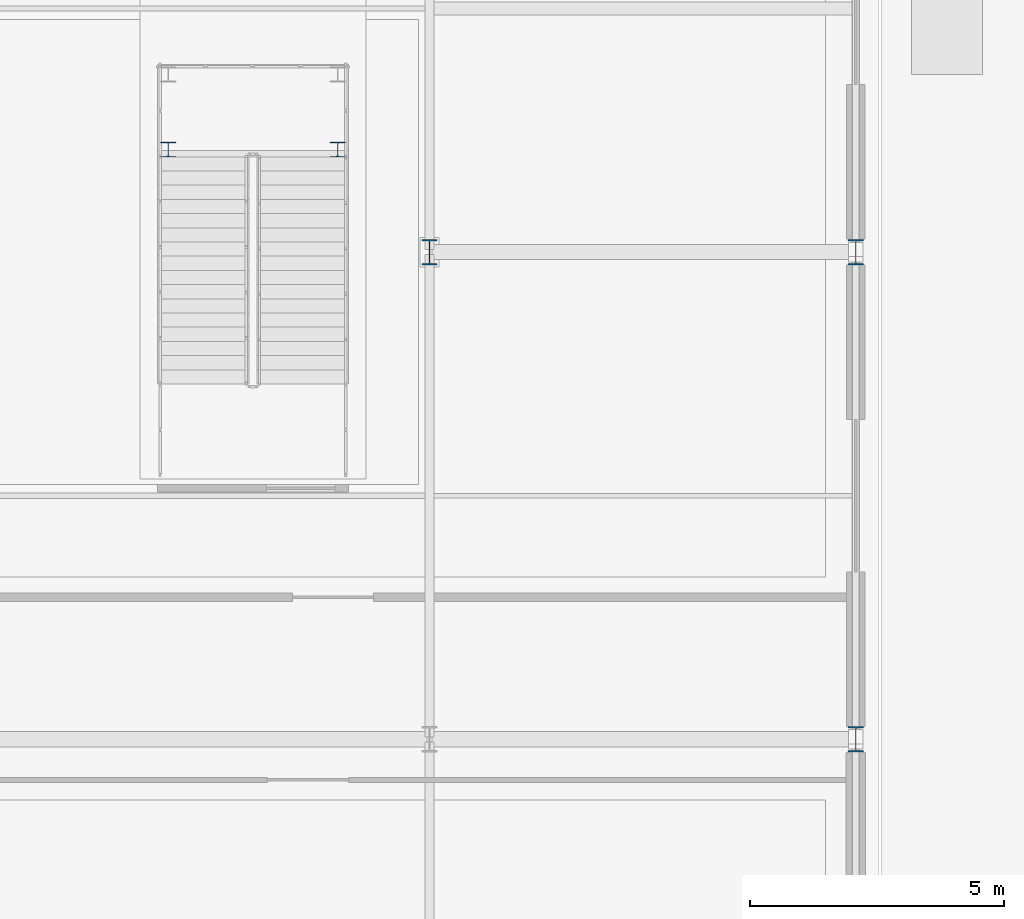
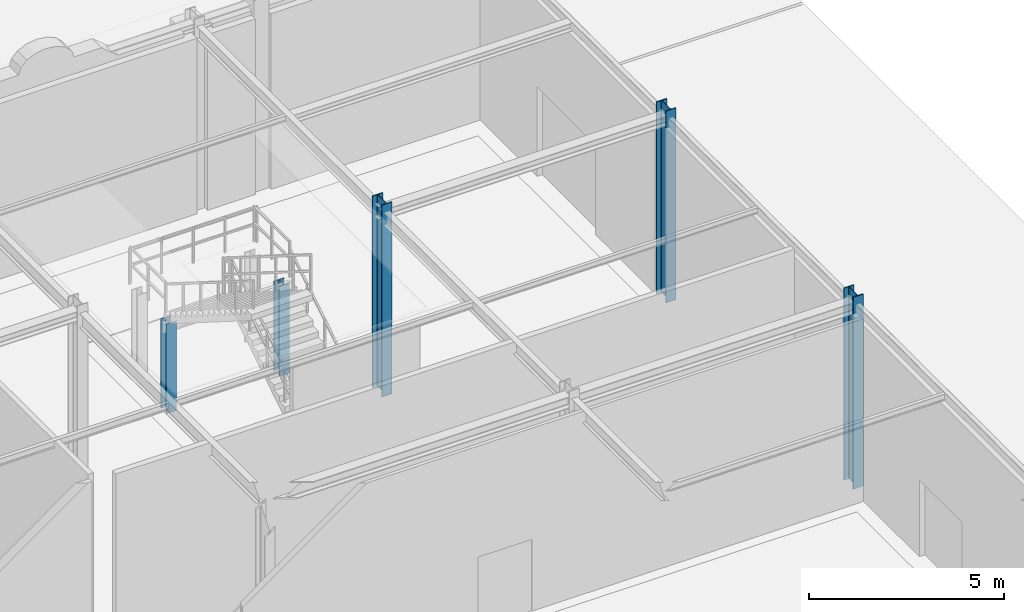
# One storey, part 19 of 113: 5 columns.
"""IFC4 building model written with IfcOpenShell, lengths in metres."""

from ifc_helpers import new_model, si_unit, direction, frame, origin, origin_2d, place, context, subcontext, project, spatial, i_section, extrude, material, material_profile, profile_set, type_object, element, save


model = new_model("IFC4")

# Units and contexts
model_context = context("Model", 3, precision=1e-05, world=origin(), true_north=direction((0.0, 1.0)))
body_context = subcontext(model_context, "Body", "Model", "MODEL_VIEW")
ifc_project = project(units=[si_unit("LENGTHUNIT", "METRE"), si_unit("AREAUNIT", "SQUARE_METRE"), si_unit("VOLUMEUNIT", "CUBIC_METRE"), si_unit("PLANEANGLEUNIT", "RADIAN"), si_unit("MASSUNIT", "GRAM", prefix="KILO")], contexts=[model_context])

# Site, building, storey
site_placement = place(None, origin())
site = spatial("IfcSite", under=ifc_project, at=site_placement, CompositionType="ELEMENT")
building_placement = place(site_placement, origin())
building = spatial("IfcBuilding", under=site, at=building_placement, Name="Myrtia Square Station", CompositionType="ELEMENT")
storey_placement = place(building_placement, origin())
storey = spatial("IfcBuildingStorey", under=building, at=storey_placement, Name="L00", CompositionType="ELEMENT", Elevation=0.0)

# Columns
ifc_material = material(Name="Steel S355", Category="steel")
ifc_material_profile_1 = material_profile(ifc_material, i_section(OverallWidth=0.300048828125, OverallDepth=0.300048828125, WebThickness=0.010986328125, FlangeThickness=0.01904296875, FilletRadius=0.027099609375, at=origin_2d()), Name="HEB 300")
ifc_profile_set_1 = profile_set([ifc_material_profile_1], Name="Steel S355")
column_type_1 = type_object("IfcColumnType", Name="COL-HEB300", PredefinedType="COLUMN", material=ifc_profile_set_1)
for number, where, z_axis, x_axis, name in (
    (1, (165.85009765625, 30.820068359375, 0.0), (0.0, 0.0, 1.0), (1.0, 0.0, 0.0), "Interchange stair landing post 7-WS"),
    (2, (169.18994140625, 30.820068359375, 0.0), (0.0, 0.0, 1.0), (1.0, 0.0, 0.0), "Interchange stair landing post 7-ES"),
):
    element("IfcColumn", number, at=place(storey_placement, frame(where, z_axis=z_axis, x_axis=x_axis)), inside=storey, type_object=column_type_1, Name=name, PredefinedType="COLUMN", context=body_context, shape_type="SweptSolid", body=[
        extrude(i_section(OverallWidth=0.300048828125, OverallDepth=0.300048828125, WebThickness=0.010986328125, FlangeThickness=0.01904296875, FilletRadius=0.027099609375, at=origin_2d()), origin(), (0.0, 0.0, 1.0), 2.800048828125),
    ])
ifc_material_profile_2 = material_profile(ifc_material, i_section(OverallWidth=0.300048828125, OverallDepth=0.5, WebThickness=0.014404296875, FlangeThickness=0.028076171875, FilletRadius=0.027099609375, at=origin_2d()), Name="HEB 500")
ifc_profile_set_2 = profile_set([ifc_material_profile_2], Name="Steel S355")
column_type_2 = type_object("IfcColumnType", Name="COL-HEB500", PredefinedType="COLUMN", material=ifc_profile_set_2)
for number, where, z_axis, x_axis, name in (
    (3, (171.0, 28.800048828125, 0.0), (0.0, 0.0, 1.0), (1.0, 0.0, 0.0), "Column L00-0710"),
    (4, (179.39990234375, 19.199951171875, 0.0), (0.0, 0.0, 1.0), (1.0, 0.0, 0.0), "Column L00-0724"),
    (5, (179.39990234375, 28.800048828125, 0.0), (0.0, 0.0, 1.0), (1.0, 0.0, 0.0), "Column L00-0728"),
):
    element("IfcColumn", number, at=place(storey_placement, frame(where, z_axis=z_axis, x_axis=x_axis)), inside=storey, type_object=column_type_2, Name=name, PredefinedType="COLUMN", context=body_context, shape_type="SweptSolid", body=[
        extrude(i_section(OverallWidth=0.300048828125, OverallDepth=0.5, WebThickness=0.014404296875, FlangeThickness=0.028076171875, FilletRadius=0.027099609375, at=origin_2d()), origin(), (0.0, 0.0, 1.0), 6.0),
    ])

save(model, "model.ifc")
